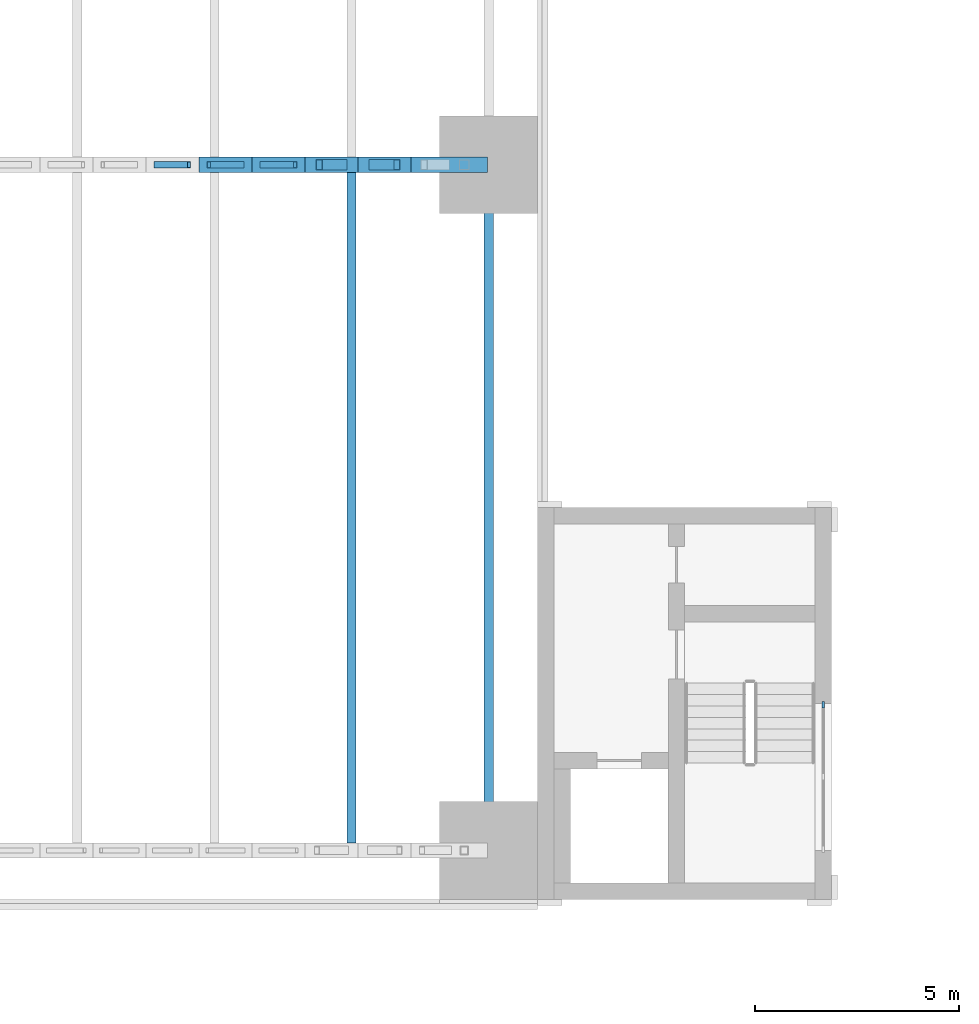
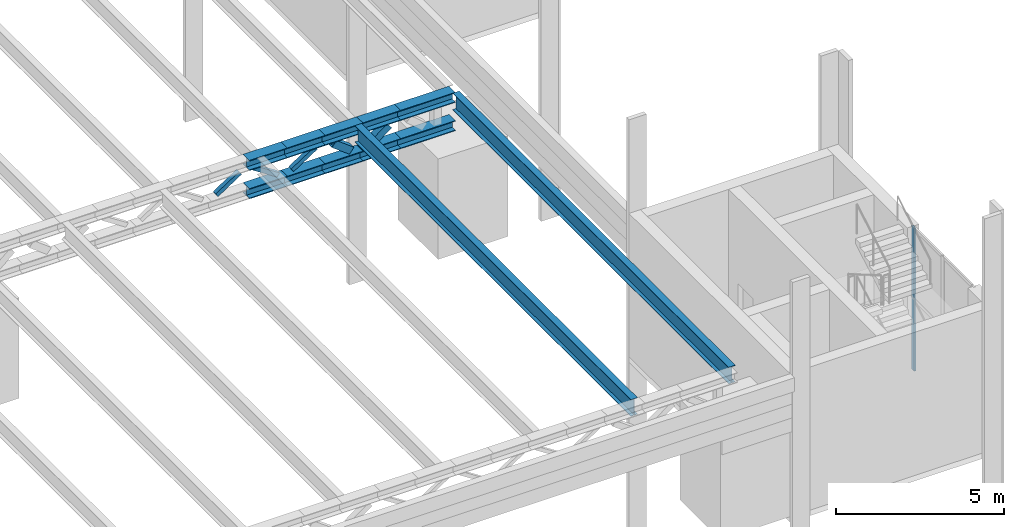
# One storey, part 34 of 93: 16 members, 2 beams, 1 element without a shape of its own.
"""IFC4 building model written with IfcOpenShell, lengths in metres."""

from ifc_helpers import new_model, si_unit, direction, frame, origin, origin_2d, place, context, subcontext, project, spatial, rectangle, hollow_rectangle, i_section, extrude, material, material_profile, profile_set, type_object, element, aggregate, save


model = new_model("IFC4")

# Units and contexts
model_context = context("Model", 3, precision=1e-05, world=origin(), true_north=direction((0.0, 1.0)))
body_context = subcontext(model_context, "Body", "Model", "MODEL_VIEW")
ifc_project = project(units=[si_unit("LENGTHUNIT", "METRE"), si_unit("AREAUNIT", "SQUARE_METRE"), si_unit("VOLUMEUNIT", "CUBIC_METRE"), si_unit("PLANEANGLEUNIT", "RADIAN"), si_unit("MASSUNIT", "GRAM", prefix="KILO")], contexts=[model_context])

# Site, building, storey
site_placement = place(None, origin())
site = spatial("IfcSite", under=ifc_project, at=site_placement, CompositionType="ELEMENT")
building_placement = place(site_placement, origin())
building = spatial("IfcBuilding", under=site, at=building_placement, Name="Verrick Yard Athletic Hall", CompositionType="ELEMENT")
storey_placement = place(building_placement, frame((0.0, 0.0, 8.800048828125)))
storey = spatial("IfcBuildingStorey", under=building, at=storey_placement, Name="L02", CompositionType="ELEMENT", Elevation=8.800048828125)

# Curtain wall, member
ifc_material_1 = material(Name="Aluminium 6063-T5", Category="aluminium")
curtain_wall_type = type_object("IfcCurtainWallType", Name="Core glazing strip", PredefinedType="NOTDEFINED", material=ifc_material_1)
curtain_wall_placement = place(storey_placement, origin())
curtain_wall = element("IfcCurtainWall", 1, at=curtain_wall_placement, inside=storey, type_object=curtain_wall_type, Name="CORE-CB3-CW-L02", PredefinedType="NOTDEFINED")
ifc_material_profile_1 = material_profile(ifc_material_1, rectangle(XDim=0.06005859375, YDim=0.159912109375, at=origin_2d()), Name="Core glazing mullion 60x160")
ifc_profile_set_1 = profile_set([ifc_material_profile_1], Name="Aluminium 6063-T5")
member_type_1 = type_object("IfcMemberType", Name="Core glazing mullion 60x160", PredefinedType="MULLION", material=ifc_profile_set_1)
member_1_placement = place(storey_placement, frame((165.800048828125, 22.77001953125, 0.0), z_axis=(0.0, 0.0, 1.0), x_axis=(-1.0, 0.0, 0.0)))
member_1 = element("IfcMember", 2, at=member_1_placement, type_object=member_type_1, Name="CW5 mullion 3", PredefinedType="MULLION", context=body_context, shape_type="SweptSolid", body=[
    extrude(rectangle(XDim=0.06005859375, YDim=0.159912109375, at=origin_2d()), origin(), (0.0, 0.0, 1.0), 5.199951171875),
])
aggregate(curtain_wall, [member_1])

# Beams
ifc_material_2 = material(Name="Structural steel 350W (CSA G40.21)", Category="steel")
ifc_material_profile_2 = material_profile(ifc_material_2, i_section(OverallWidth=0.22802734375, OverallDepth=0.60791015625, WebThickness=0.01123046875, FlangeThickness=0.017333984375, at=origin_2d()), Name="W610x113")
ifc_profile_set_2 = profile_set([ifc_material_profile_2], Name="Structural steel 350W (CSA G40.21)")
beam_type = type_object("IfcBeamType", Name="STR Secondary beam W610x113", PredefinedType="BEAM", material=ifc_profile_set_2)
for number, where, z_axis, x_axis, name in (
    (3, (154.239990234375, 19.384521484375, 4.745849609375), (0.0, 1.0, 0.0), (-1.0, 0.0, 0.0), "STR-SB-S174"),
    (4, (157.60009765625, 19.384521484375, 4.745849609375), (0.0, 1.0, 0.0), (-1.0, 0.0, 0.0), "STR-SB-X8A"),
):
    element("IfcBeam", number, at=place(storey_placement, frame(where, z_axis=z_axis, x_axis=x_axis)), inside=storey, type_object=beam_type, Name=name, PredefinedType="BEAM", context=body_context, shape_type="SweptSolid", body=[
        extrude(i_section(OverallWidth=0.22802734375, OverallDepth=0.60791015625, WebThickness=0.01123046875, FlangeThickness=0.017333984375, at=origin_2d()), origin(), (0.0, 0.0, 1.0), 16.428466796875),
    ])

# Members
ifc_material_profile_3 = material_profile(ifc_material_2, i_section(OverallWidth=0.3740234375, OverallDepth=0.3720703125, WebThickness=0.016357421875, FlangeThickness=0.026123046875, at=origin_2d()), Name="W360x196")
ifc_profile_set_3 = profile_set([ifc_material_profile_3], Name="Structural steel 350W (CSA G40.21)")
member_type_2 = type_object("IfcMemberType", Name="STR Truss bottom chord W360x196", PredefinedType="CHORD", material=ifc_profile_set_3)
for number, where, z_axis, x_axis, name in (
    (5, (150.5, 36.0, 3.8359375), (1.0, 0.0, 0.0), (0.0, 1.0, 0.0), "STR-BC-GB7-8"),
    (6, (151.800048828125, 36.0, 3.8359375), (1.0, 0.0, 0.0), (0.0, 1.0, 0.0), "STR-BC-GB7-9"),
):
    element("IfcMember", number, at=place(storey_placement, frame(where, z_axis=z_axis, x_axis=x_axis)), inside=storey, type_object=member_type_2, Name=name, PredefinedType="CHORD", context=body_context, shape_type="SweptSolid", body=[
        extrude(i_section(OverallWidth=0.3740234375, OverallDepth=0.3720703125, WebThickness=0.016357421875, FlangeThickness=0.026123046875, at=origin_2d()), origin(), (0.0, 0.0, 1.0), 1.300048828125),
    ])
member_2_placement = place(storey_placement, frame((153.10009765625, 36.0, 3.8359375), z_axis=(1.0, 0.0, 0.0), x_axis=(0.0, 1.0, 0.0)))
element("IfcMember", 7, at=member_2_placement, inside=storey, type_object=member_type_2, Name="STR-BC-GB7-10", PredefinedType="CHORD", context=body_context, shape_type="SweptSolid", body=[
    extrude(i_section(OverallWidth=0.3740234375, OverallDepth=0.3720703125, WebThickness=0.016357421875, FlangeThickness=0.026123046875, at=origin_2d()), origin(), (0.0, 0.0, 1.0), 1.2998046875),
])
member_3_placement = place(storey_placement, frame((154.39990234375, 36.0, 3.8359375), z_axis=(1.0, 0.0, 0.0), x_axis=(0.0, 1.0, 0.0)))
element("IfcMember", 8, at=member_3_placement, inside=storey, type_object=member_type_2, Name="STR-BC-GB7-11", PredefinedType="CHORD", context=body_context, shape_type="SweptSolid", body=[
    extrude(i_section(OverallWidth=0.3740234375, OverallDepth=0.3720703125, WebThickness=0.016357421875, FlangeThickness=0.026123046875, at=origin_2d()), origin(), (0.0, 0.0, 1.0), 1.300048828125),
])
member_4_placement = place(storey_placement, frame((155.699951171875, 36.0, 3.8359375), z_axis=(1.0, 0.0, 0.0), x_axis=(0.0, 1.0, 0.0)))
element("IfcMember", 9, at=member_4_placement, inside=storey, type_object=member_type_2, Name="STR-BC-GB7-12", PredefinedType="CHORD", context=body_context, shape_type="SweptSolid", body=[
    extrude(i_section(OverallWidth=0.3740234375, OverallDepth=0.3720703125, WebThickness=0.016357421875, FlangeThickness=0.026123046875, at=origin_2d()), origin(), (0.0, 0.0, 1.0), 1.875),
])
ifc_material_profile_4 = material_profile(ifc_material_2, i_section(OverallWidth=0.3740234375, OverallDepth=0.3720703125, WebThickness=0.016357421875, FlangeThickness=0.026123046875, at=origin_2d()), Name="W360x196")
ifc_profile_set_4 = profile_set([ifc_material_profile_4], Name="Structural steel 350W (CSA G40.21)")
member_type_3 = type_object("IfcMemberType", Name="STR Truss top chord W360x196", PredefinedType="CHORD", material=ifc_profile_set_4)
for number, where, z_axis, x_axis, name in (
    (10, (150.5, 36.0, 4.864013671875), (1.0, 0.0, 0.0), (0.0, 1.0, 0.0), "STR-TC-GB7-8"),
    (11, (151.800048828125, 36.0, 4.864013671875), (1.0, 0.0, 0.0), (0.0, 1.0, 0.0), "STR-TC-GB7-9"),
):
    element("IfcMember", number, at=place(storey_placement, frame(where, z_axis=z_axis, x_axis=x_axis)), inside=storey, type_object=member_type_3, Name=name, PredefinedType="CHORD", context=body_context, shape_type="SweptSolid", body=[
        extrude(i_section(OverallWidth=0.3740234375, OverallDepth=0.3720703125, WebThickness=0.016357421875, FlangeThickness=0.026123046875, at=origin_2d()), origin(), (0.0, 0.0, 1.0), 1.300048828125),
    ])
member_5_placement = place(storey_placement, frame((153.10009765625, 36.0, 4.864013671875), z_axis=(1.0, 0.0, 0.0), x_axis=(0.0, 1.0, 0.0)))
element("IfcMember", 12, at=member_5_placement, inside=storey, type_object=member_type_3, Name="STR-TC-GB7-10", PredefinedType="CHORD", context=body_context, shape_type="SweptSolid", body=[
    extrude(i_section(OverallWidth=0.3740234375, OverallDepth=0.3720703125, WebThickness=0.016357421875, FlangeThickness=0.026123046875, at=origin_2d()), origin(), (0.0, 0.0, 1.0), 1.2998046875),
])
member_6_placement = place(storey_placement, frame((154.39990234375, 36.0, 4.864013671875), z_axis=(1.0, 0.0, 0.0), x_axis=(0.0, 1.0, 0.0)))
element("IfcMember", 13, at=member_6_placement, inside=storey, type_object=member_type_3, Name="STR-TC-GB7-11", PredefinedType="CHORD", context=body_context, shape_type="SweptSolid", body=[
    extrude(i_section(OverallWidth=0.3740234375, OverallDepth=0.3720703125, WebThickness=0.016357421875, FlangeThickness=0.026123046875, at=origin_2d()), origin(), (0.0, 0.0, 1.0), 1.300048828125),
])
member_7_placement = place(storey_placement, frame((155.699951171875, 36.0, 4.864013671875), z_axis=(1.0, 0.0, 0.0), x_axis=(0.0, 1.0, 0.0)))
element("IfcMember", 14, at=member_7_placement, inside=storey, type_object=member_type_3, Name="STR-TC-GB7-12", PredefinedType="CHORD", context=body_context, shape_type="SweptSolid", body=[
    extrude(i_section(OverallWidth=0.3740234375, OverallDepth=0.3720703125, WebThickness=0.016357421875, FlangeThickness=0.026123046875, at=origin_2d()), origin(), (0.0, 0.0, 1.0), 1.875),
])
ifc_material_3 = material(Name="Structural steel HSS Class C 350W (CSA G40.20/G40.21)", Category="steel")
ifc_material_profile_5 = material_profile(ifc_material_3, hollow_rectangle(XDim=0.15234375, YDim=0.15234375, WallThickness=0.009521484375, at=origin_2d()), Name="HSS152x152x9.5")
ifc_profile_set_5 = profile_set([ifc_material_profile_5], Name="Structural steel HSS Class C 350W (CSA G40.20/G40.21)")
member_type_4 = type_object("IfcMemberType", Name="STR Truss web HSS152x152x9.5", PredefinedType="BRACE", material=ifc_profile_set_5)
for number, where, z_axis, x_axis, name in (
    (15, (149.4423828125, 36.0, 4.085205078125), (0.838713241607, 0.0, 0.544573317701), (0.0, 1.0, 0.0), "STR-TW-GB7-7"),
    (16, (150.742431640625, 36.0, 4.614501953125), (0.838713241607, 0.0, -0.544573317701), (0.0, 1.0, 0.0), "STR-TW-GB7-8"),
):
    element("IfcMember", number, at=place(storey_placement, frame(where, z_axis=z_axis, x_axis=x_axis)), inside=storey, type_object=member_type_4, Name=name, PredefinedType="BRACE", context=body_context, shape_type="SweptSolid", body=[
        extrude(hollow_rectangle(XDim=0.15234375, YDim=0.15234375, WallThickness=0.009521484375, at=origin_2d()), origin(), (0.0, 0.0, 1.0), 0.971923828125),
    ])
member_8_placement = place(storey_placement, frame((152.04248046875, 36.0, 4.085205078125), z_axis=(0.838638726033, 0.0, 0.544688064122), x_axis=(0.0, 1.0, 0.0)))
element("IfcMember", 17, at=member_8_placement, inside=storey, type_object=member_type_4, Name="STR-TW-GB7-9", PredefinedType="BRACE", context=body_context, shape_type="SweptSolid", body=[
    extrude(hollow_rectangle(XDim=0.15234375, YDim=0.15234375, WallThickness=0.009521484375, at=origin_2d()), origin(), (0.0, 0.0, 1.0), 0.9716796875),
])
ifc_material_profile_6 = material_profile(ifc_material_3, hollow_rectangle(XDim=0.25390625, YDim=0.25390625, WallThickness=0.0126953125, at=origin_2d()), Name="HSS254x254x13")
ifc_profile_set_6 = profile_set([ifc_material_profile_6], Name="Structural steel HSS Class C 350W (CSA G40.20/G40.21)")
member_type_5 = type_object("IfcMemberType", Name="STR Truss web HSS254x254x13", PredefinedType="BRACE", material=ifc_profile_set_6)
member_9_placement = place(storey_placement, frame((153.44921875, 36.0, 4.5771484375), z_axis=(0.797974617605, 0.0, -0.60269105656), x_axis=(0.0, 1.0, 0.0)))
element("IfcMember", 18, at=member_9_placement, inside=storey, type_object=member_type_5, Name="STR-TW-GB7-10", PredefinedType="BRACE", context=body_context, shape_type="SweptSolid", body=[
    extrude(hollow_rectangle(XDim=0.25390625, YDim=0.25390625, WallThickness=0.0126953125, at=origin_2d()), origin(), (0.0, 0.0, 1.0), 0.75390625),
])
member_10_placement = place(storey_placement, frame((154.7490234375, 36.0, 4.122802734375), z_axis=(0.798092207374, 0.0, 0.602535333843), x_axis=(0.0, 1.0, 0.0)))
element("IfcMember", 19, at=member_10_placement, inside=storey, type_object=member_type_5, Name="STR-TW-GB7-11", PredefinedType="BRACE", context=body_context, shape_type="SweptSolid", body=[
    extrude(hollow_rectangle(XDim=0.25390625, YDim=0.25390625, WallThickness=0.0126953125, at=origin_2d()), origin(), (0.0, 0.0, 1.0), 0.754150390625),
])

save(model, "model.ifc")
